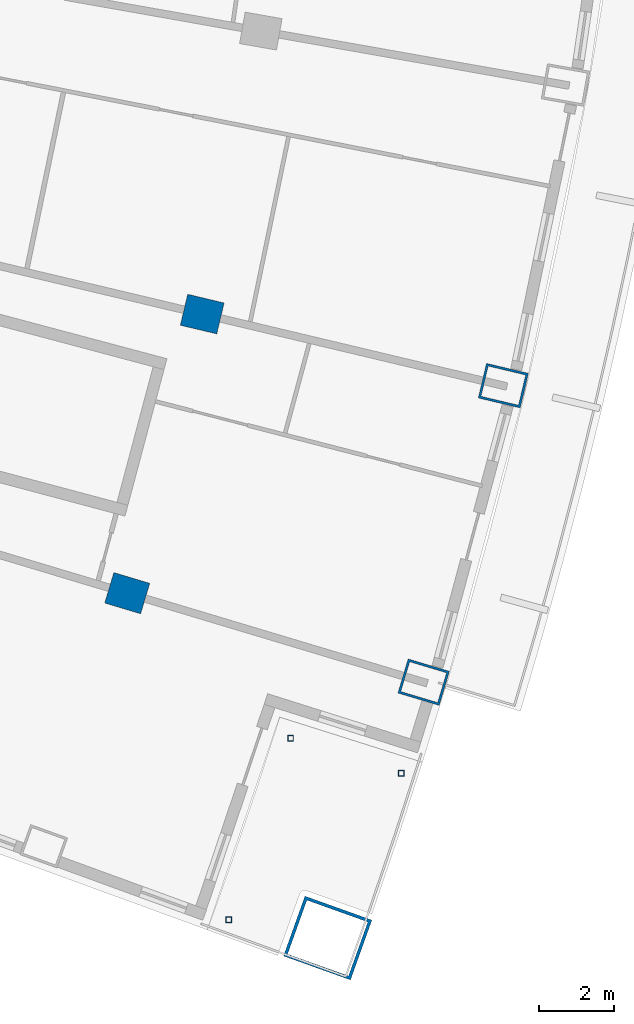
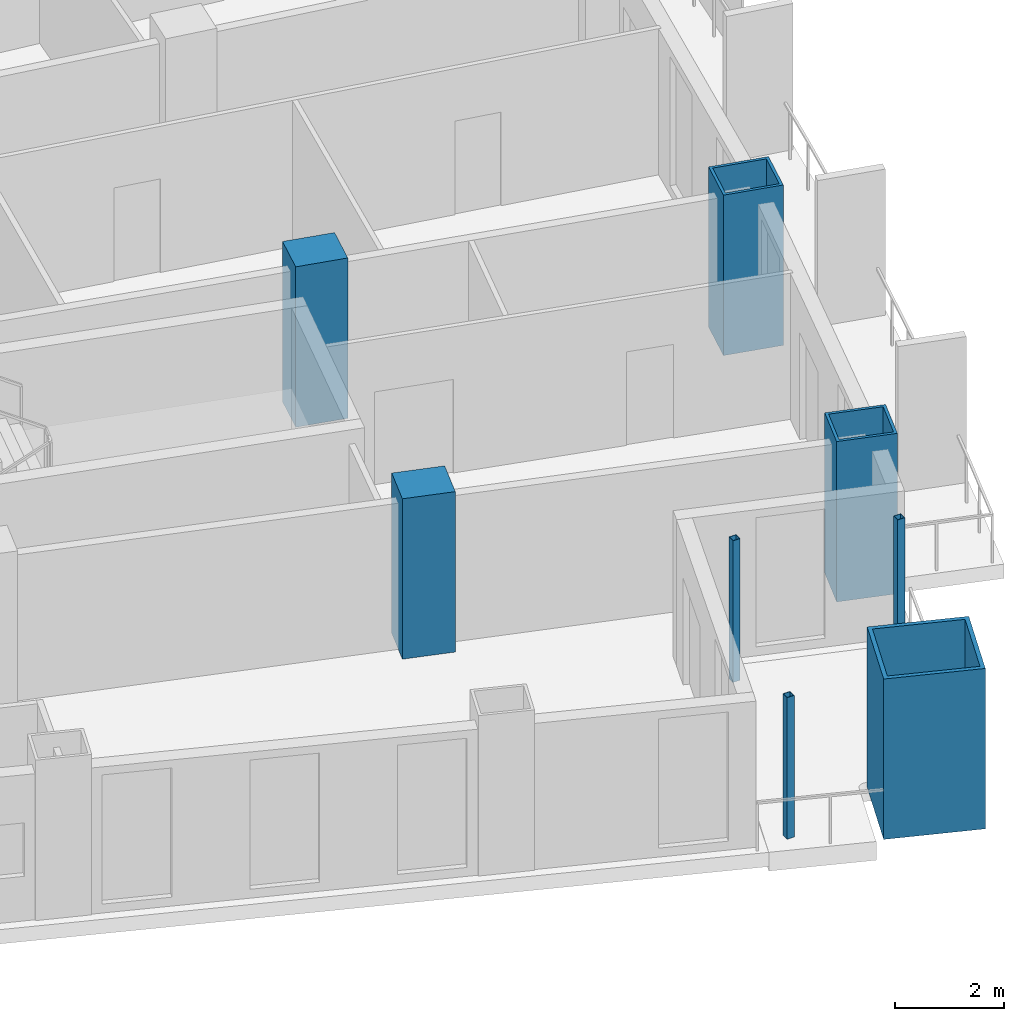
# One storey, part 5 of 25: 8 columns.
"""IFC4 building model written with IfcOpenShell, lengths in metres."""

from ifc_helpers import new_model, si_unit, direction, frame, origin, origin_2d, place, context, subcontext, project, spatial, rectangle, hollow_rectangle, extrude, material, material_profile, profile_set, type_object, element, save


model = new_model("IFC4")

# Units and contexts
model_context = context("Model", 3, precision=1e-05, world=origin(), true_north=direction((0.0, 1.0)))
body_context = subcontext(model_context, "Body", "Model", "MODEL_VIEW")
ifc_project = project(units=[si_unit("LENGTHUNIT", "METRE"), si_unit("AREAUNIT", "SQUARE_METRE"), si_unit("VOLUMEUNIT", "CUBIC_METRE"), si_unit("PLANEANGLEUNIT", "RADIAN"), si_unit("MASSUNIT", "GRAM", prefix="KILO")], contexts=[model_context])

# Site, building, storey
site_placement = place(None, origin())
site = spatial("IfcSite", under=ifc_project, at=site_placement, CompositionType="ELEMENT")
building_placement = place(site_placement, origin())
building = spatial("IfcBuilding", under=site, at=building_placement, Name="Alderwake Tower", CompositionType="ELEMENT")
storey_placement = place(building_placement, frame((0.0, 0.0, 118.39990234375)))
storey = spatial("IfcBuildingStorey", under=building, at=storey_placement, Name="L29", CompositionType="ELEMENT", Elevation=118.39990234375)

# Columns
ifc_material_1 = material(Name="Concrete C70/85", Category="concrete")
ifc_material_profile_1 = material_profile(ifc_material_1, rectangle(XDim=0.85009765625, YDim=1.0, at=origin_2d()), Name="RC 1000X850")
ifc_profile_set_1 = profile_set([ifc_material_profile_1], Name="Concrete C70/85")
column_type_1 = type_object("IfcColumnType", Name="Interior column Z2", PredefinedType="COLUMN", material=ifc_profile_set_1)
for number, where, z_axis, x_axis, name in (
    (1, (46.744384765625, 22.94775390625, 0.0), (0.0, 0.0, 1.0), (0.287549418125, 0.957765802342, 0.0), "Column R02-C4"),
    (2, (48.747314453125, 30.401611328125, 0.0), (0.0, 0.0, 1.0), (0.231221547198, 0.972901123502, 0.0), "Column R03-C4"),
):
    element("IfcColumn", number, at=place(storey_placement, frame(where, z_axis=z_axis, x_axis=x_axis)), inside=storey, type_object=column_type_1, Name=name, PredefinedType="COLUMN", context=body_context, shape_type="SweptSolid", body=[
        extrude(rectangle(XDim=0.85009765625, YDim=1.0, at=origin_2d()), origin(), (0.0, 0.0, 1.0), 3.60009765625),
    ])
ifc_material_2 = material(Name="Steel ASTM A500 Grade C", Category="steel")
ifc_material_profile_2 = material_profile(ifc_material_2, hollow_rectangle(XDim=0.15234375, YDim=0.15234375, WallThickness=0.0087890625, at=origin_2d()), Name="HSS6X6X3/8")
ifc_profile_set_2 = profile_set([ifc_material_profile_2], Name="Steel ASTM A500 Grade C")
column_type_2 = type_object("IfcColumnType", Name="Light post HSS6X6X3/8", PredefinedType="COLUMN", material=ifc_profile_set_2)
for number, where, z_axis, x_axis, name in (
    (3, (54.064697265625, 18.13720703125, 0.0), (0.0, 0.0, 1.0), (1.0, 0.0, 0.0), "Terrace post FS1"),
    (4, (49.458251953125, 14.22314453125, 0.0), (0.0, 0.0, 1.0), (1.0, 0.0, 0.0), "Terrace post FS2"),
    (5, (51.10888671875, 19.07177734375, 0.0), (0.0, 0.0, 1.0), (1.0, 0.0, 0.0), "Terrace post FS3"),
):
    element("IfcColumn", number, at=place(storey_placement, frame(where, z_axis=z_axis, x_axis=x_axis)), inside=storey, type_object=column_type_2, Name=name, PredefinedType="COLUMN", context=body_context, shape_type="SweptSolid", body=[
        extrude(hollow_rectangle(XDim=0.15234375, YDim=0.15234375, WallThickness=0.0087890625, at=origin_2d()), origin(), (0.0, 0.0, 1.0), 3.18017578125),
    ])
ifc_material_3 = material(Name="Steel ASTM A572 Grade 50 concrete filled C70/85", Category="concrete")
ifc_material_profile_3 = material_profile(ifc_material_3, hollow_rectangle(XDim=1.699951171875, YDim=1.89990234375, WallThickness=0.0849609375, at=origin_2d()), Name="BOX 1900X1700X85")
ifc_profile_set_3 = profile_set([ifc_material_profile_3], Name="Steel ASTM A572 Grade 50 concrete filled C70/85")
column_type_3 = type_object("IfcColumnType", Name="Mega column Z2", PredefinedType="COLUMN", material=ifc_profile_set_3)
column_placement = place(storey_placement, frame((52.09912109375, 13.736083984375, 0.0), z_axis=(0.0, 0.0, 1.0), x_axis=(0.336878350236, 0.941548180999, 0.0)))
element("IfcColumn", 6, at=column_placement, inside=storey, type_object=column_type_3, Name="Column R01-C5", PredefinedType="COLUMN", context=body_context, shape_type="SweptSolid", body=[
    extrude(hollow_rectangle(XDim=1.699951171875, YDim=1.89990234375, WallThickness=0.0849609375, at=origin_2d()), origin(), (0.0, 0.0, 1.0), 3.60009765625),
])
ifc_material_4 = material(Name="Steel ASTM A572 Grade 50 concrete filled C70/85", Category="concrete")
ifc_material_profile_4 = material_profile(ifc_material_4, hollow_rectangle(XDim=0.949951171875, YDim=1.14990234375, WallThickness=0.06005859375, at=origin_2d()), Name="BOX 1150X950X60")
ifc_profile_set_4 = profile_set([ifc_material_profile_4], Name="Steel ASTM A572 Grade 50 concrete filled C70/85")
column_type_4 = type_object("IfcColumnType", Name="Perimeter column Z2", PredefinedType="COLUMN", material=ifc_profile_set_4)
for number, where, z_axis, x_axis, name in (
    (7, (54.661865234375, 20.570556640625, 0.0), (0.0, 0.0, 1.0), (0.287549418125, 0.957765802342, 0.0), "Column R02-C5"),
    (8, (56.789794921875, 28.490234375, 0.0), (0.0, 0.0, 1.0), (0.231221547198, 0.972901123502, 0.0), "Column R03-C5"),
):
    element("IfcColumn", number, at=place(storey_placement, frame(where, z_axis=z_axis, x_axis=x_axis)), inside=storey, type_object=column_type_4, Name=name, PredefinedType="COLUMN", context=body_context, shape_type="SweptSolid", body=[
        extrude(hollow_rectangle(XDim=0.949951171875, YDim=1.14990234375, WallThickness=0.06005859375, at=origin_2d()), origin(), (0.0, 0.0, 1.0), 3.60009765625),
    ])

save(model, "model.ifc")
